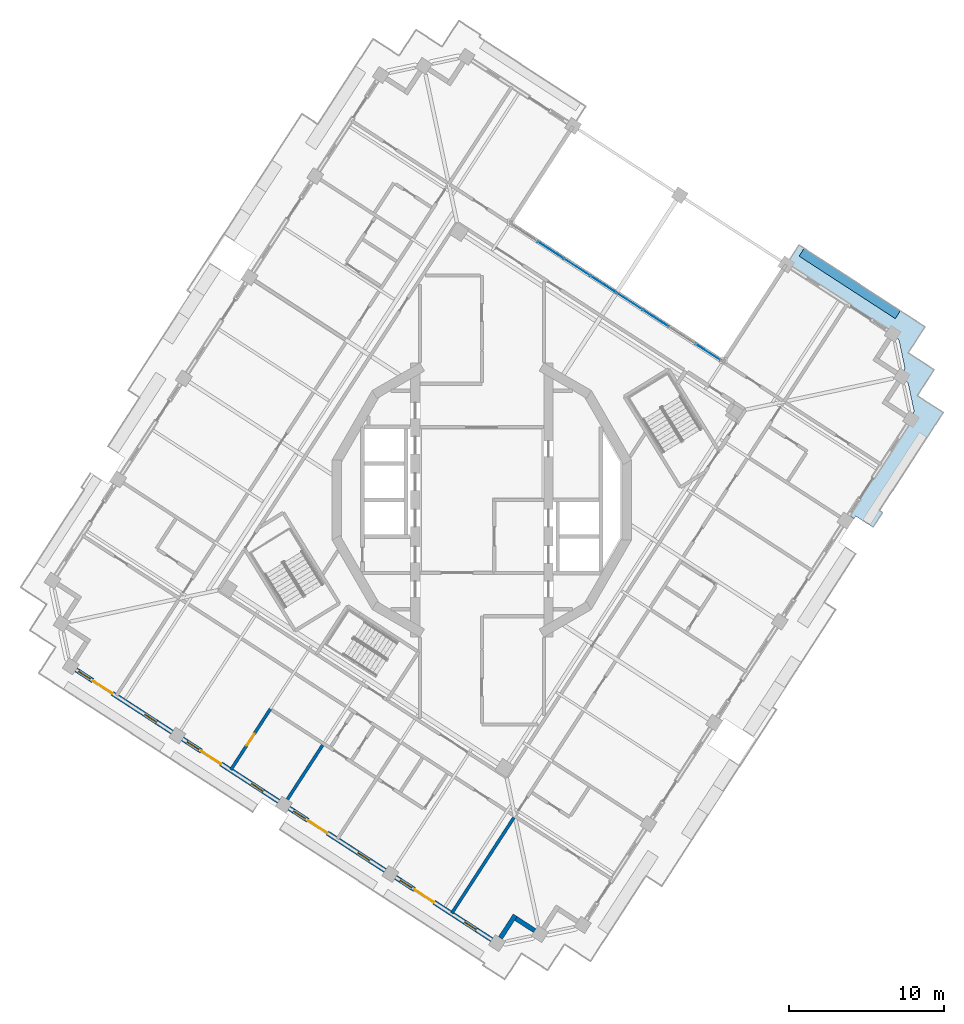
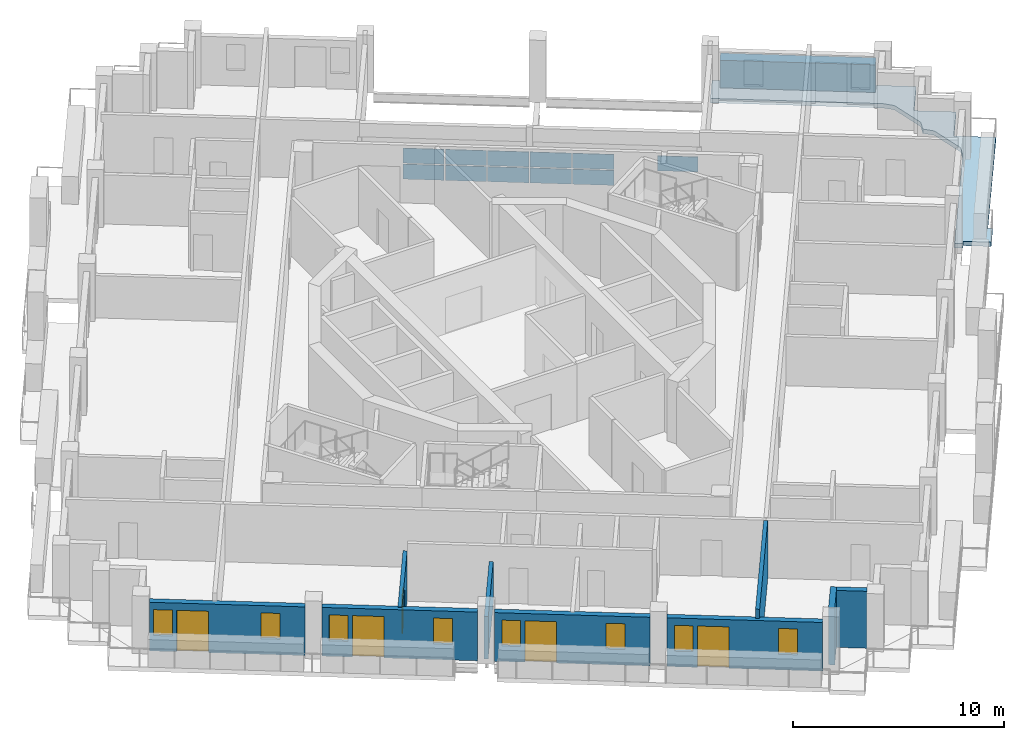
# One storey, part 5 of 17: 12 plates, 9 walls, 8 windows, 5 doors, 1 slab, 13 openings, 1 element without a shape of its own.
"""IFC4 building model written with IfcOpenShell, lengths in metres."""

from ifc_helpers import new_model, si_unit, direction, frame, frame_2d, origin, origin_2d, place, context, subcontext, project, spatial, polyline, rectangle, outline, extrude, material, layer, layer_set, type_object, element, fill, aggregate, save


model = new_model("IFC4")

# Units and contexts
model_context = context("Model", 3, precision=1e-05, world=origin(), true_north=direction((0.0, 1.0)))
body_context = subcontext(model_context, "Body", "Model", "MODEL_VIEW")
ifc_project = project(units=[si_unit("LENGTHUNIT", "METRE"), si_unit("AREAUNIT", "SQUARE_METRE"), si_unit("VOLUMEUNIT", "CUBIC_METRE"), si_unit("PLANEANGLEUNIT", "RADIAN"), si_unit("MASSUNIT", "GRAM", prefix="KILO")], contexts=[model_context])

# Site, building, storey
site_placement = place(None, origin())
site = spatial("IfcSite", under=ifc_project, at=site_placement, CompositionType="ELEMENT")
building_placement = place(site_placement, origin())
building = spatial("IfcBuilding", under=site, at=building_placement, Name="Cantera Rosa Tower", CompositionType="ELEMENT")
storey_placement = place(building_placement, frame((0.0, 0.0, 275.699951171875)))
storey = spatial("IfcBuildingStorey", under=building, at=storey_placement, Name="L62", CompositionType="ELEMENT", Elevation=275.699951171875)

# Curtain wall, plates
ifc_material_1 = material(Name="Aluminium frame with clear glass", Category="aluminium")
curtain_wall_type = type_object("IfcCurtainWallType", Name="CW1 TERRACE POCKET GLAZING", PredefinedType="NOTDEFINED", material=ifc_material_1)
curtain_wall_placement = place(storey_placement, origin())
curtain_wall = element("IfcCurtainWall", 1, at=curtain_wall_placement, inside=storey, type_object=curtain_wall_type, Name="CW1 CW1", PredefinedType="NOTDEFINED")
ifc_material_2 = material(Name="Aluminium frame with clear glass", Category="aluminium")
ifc_layer_1 = layer(ifc_material_2, 0.028076171875)
ifc_layer_set_1 = layer_set([ifc_layer_1], Name="CW-PANEL POCKET")
plate_type_1 = type_object("IfcPlateType", Name="CW-PANEL POCKET", PredefinedType="CURTAIN_PANEL", material=ifc_layer_set_1)
plate_1_placement = place(storey_placement, frame((14.60009765625, 9.536865234375, 0.98583984375), z_axis=(0.0, 0.0, 1.0), x_axis=(-0.838670567974, 0.544639034971, 0.0)))
plate_1 = element("IfcPlate", 2, at=plate_1_placement, type_object=plate_type_1, Name="CW1 panel 1.2", PredefinedType="CURTAIN_PANEL", context=body_context, shape_type="SweptSolid", body=[
    extrude(rectangle(XDim=1.9287109375, YDim=0.028076171875, at=origin_2d()), origin(), (0.0, 0.0, 1.0), 0.865966796875),
])
plate_2_placement = place(storey_placement, frame((11.2265625, 11.7275390625, 0.06005859375), z_axis=(0.0, 0.0, 1.0), x_axis=(-0.838670567974, 0.544639034971, 0.0)))
plate_2 = element("IfcPlate", 3, at=plate_2_placement, type_object=plate_type_1, Name="CW1 panel 3.1", PredefinedType="CURTAIN_PANEL", context=body_context, shape_type="SweptSolid", body=[
    extrude(rectangle(XDim=1.958740234375, YDim=0.028076171875, at=origin_2d()), origin(), (0.0, 0.0, 1.0), 0.865966796875),
])
plate_3_placement = place(storey_placement, frame((11.2265625, 11.7275390625, 0.98583984375), z_axis=(0.0, 0.0, 1.0), x_axis=(-0.838670567974, 0.544639034971, 0.0)))
plate_3 = element("IfcPlate", 4, at=plate_3_placement, type_object=plate_type_1, Name="CW1 panel 3.2", PredefinedType="CURTAIN_PANEL", context=body_context, shape_type="SweptSolid", body=[
    extrude(rectangle(XDim=1.958740234375, YDim=0.028076171875, at=origin_2d()), origin(), (0.0, 0.0, 1.0), 0.865966796875),
])
plate_4_placement = place(storey_placement, frame((9.533447265625, 12.8271484375, 0.06005859375), z_axis=(0.0, 0.0, 1.0), x_axis=(-0.838670567974, 0.544639034971, 0.0)))
plate_4 = element("IfcPlate", 5, at=plate_4_placement, type_object=plate_type_1, Name="CW1 panel 4.1", PredefinedType="CURTAIN_PANEL", context=body_context, shape_type="SweptSolid", body=[
    extrude(rectangle(XDim=1.958740234375, YDim=0.028076171875, at=origin_2d()), origin(), (0.0, 0.0, 1.0), 0.865966796875),
])
plate_5_placement = place(storey_placement, frame((9.533447265625, 12.8271484375, 0.98583984375), z_axis=(0.0, 0.0, 1.0), x_axis=(-0.838670567974, 0.544639034971, 0.0)))
plate_5 = element("IfcPlate", 6, at=plate_5_placement, type_object=plate_type_1, Name="CW1 panel 4.2", PredefinedType="CURTAIN_PANEL", context=body_context, shape_type="SweptSolid", body=[
    extrude(rectangle(XDim=1.958740234375, YDim=0.028076171875, at=origin_2d()), origin(), (0.0, 0.0, 1.0), 0.865966796875),
])
plate_6_placement = place(storey_placement, frame((7.840576171875, 13.926513671875, 0.06005859375), z_axis=(0.0, 0.0, 1.0), x_axis=(-0.838670567974, 0.544639034971, 0.0)))
plate_6 = element("IfcPlate", 7, at=plate_6_placement, type_object=plate_type_1, Name="CW1 panel 5.1", PredefinedType="CURTAIN_PANEL", context=body_context, shape_type="SweptSolid", body=[
    extrude(rectangle(XDim=1.958740234375, YDim=0.028076171875, at=origin_2d()), origin(), (0.0, 0.0, 1.0), 0.865966796875),
])
plate_7_placement = place(storey_placement, frame((7.840576171875, 13.926513671875, 0.98583984375), z_axis=(0.0, 0.0, 1.0), x_axis=(-0.838670567974, 0.544639034971, 0.0)))
plate_7 = element("IfcPlate", 8, at=plate_7_placement, type_object=plate_type_1, Name="CW1 panel 5.2", PredefinedType="CURTAIN_PANEL", context=body_context, shape_type="SweptSolid", body=[
    extrude(rectangle(XDim=1.958740234375, YDim=0.028076171875, at=origin_2d()), origin(), (0.0, 0.0, 1.0), 0.865966796875),
])
plate_8_placement = place(storey_placement, frame((6.1474609375, 15.026123046875, 0.06005859375), z_axis=(0.0, 0.0, 1.0), x_axis=(-0.838670567974, 0.544639034971, 0.0)))
plate_8 = element("IfcPlate", 9, at=plate_8_placement, type_object=plate_type_1, Name="CW1 panel 6.1", PredefinedType="CURTAIN_PANEL", context=body_context, shape_type="SweptSolid", body=[
    extrude(rectangle(XDim=1.958740234375, YDim=0.028076171875, at=origin_2d()), origin(), (0.0, 0.0, 1.0), 0.865966796875),
])
plate_9_placement = place(storey_placement, frame((6.1474609375, 15.026123046875, 0.98583984375), z_axis=(0.0, 0.0, 1.0), x_axis=(-0.838670567974, 0.544639034971, 0.0)))
plate_9 = element("IfcPlate", 10, at=plate_9_placement, type_object=plate_type_1, Name="CW1 panel 6.2", PredefinedType="CURTAIN_PANEL", context=body_context, shape_type="SweptSolid", body=[
    extrude(rectangle(XDim=1.958740234375, YDim=0.028076171875, at=origin_2d()), origin(), (0.0, 0.0, 1.0), 0.865966796875),
])
plate_10_placement = place(storey_placement, frame((4.454345703125, 16.12548828125, 0.06005859375), z_axis=(0.0, 0.0, 1.0), x_axis=(-0.838670567974, 0.544639034971, 0.0)))
plate_10 = element("IfcPlate", 11, at=plate_10_placement, type_object=plate_type_1, Name="CW1 panel 7.1", PredefinedType="CURTAIN_PANEL", context=body_context, shape_type="SweptSolid", body=[
    extrude(rectangle(XDim=1.958740234375, YDim=0.028076171875, at=origin_2d()), origin(), (0.0, 0.0, 1.0), 0.865966796875),
])
plate_11_placement = place(storey_placement, frame((4.454345703125, 16.12548828125, 0.98583984375), z_axis=(0.0, 0.0, 1.0), x_axis=(-0.838670567974, 0.544639034971, 0.0)))
plate_11 = element("IfcPlate", 12, at=plate_11_placement, type_object=plate_type_1, Name="CW1 panel 7.2", PredefinedType="CURTAIN_PANEL", context=body_context, shape_type="SweptSolid", body=[
    extrude(rectangle(XDim=1.958740234375, YDim=0.028076171875, at=origin_2d()), origin(), (0.0, 0.0, 1.0), 0.865966796875),
])
aggregate(curtain_wall, [plate_1, plate_2, plate_3, plate_4, plate_5, plate_6, plate_7, plate_8, plate_9, plate_10, plate_11])

# Slab
ifc_material_3 = material(Name="Concrete C35/45", Category="concrete")
ifc_layer_2 = layer(ifc_material_3, 0.25)
ifc_layer_set_2 = layer_set([ifc_layer_2], Name="LOGGIA SLAB 250 C35/45")
slab_type = type_object("IfcSlabType", Name="LOGGIA SLAB 250 C35/45", PredefinedType="FLOOR", material=ifc_layer_set_2)
slab_placement = place(storey_placement, frame((0.0, 0.0, -0.25)))
element("IfcSlab", 13, at=slab_placement, inside=storey, type_object=slab_type, Name="LOGGIA SLAB L62 4", PredefinedType="FLOOR", context=body_context, shape_type="SweptSolid", body=[
    extrude(outline(polyline([(27.343017578125, 11.992919921875), (28.600830078125, 11.17578125), (27.783935546875, 9.917724609375), (27.51171875, 9.49853515625), (27.930908203125, 9.22607421875), (29.18896484375, 8.4091796875), (28.3720703125, 7.151123046875), (28.099609375, 6.731689453125), (28.51904296875, 6.45947265625), (29.777099609375, 5.642578125), (28.960205078125, 4.384521484375), (25.66650390625, -0.68701171875), (25.86181640625, -0.813720703125), (25.244873046875, -1.763916015625), (24.127197265625, -1.0380859375), (24.01806640625, -1.205810546875), (23.6826171875, -0.98779296875), (27.13330078125, 4.32568359375), (27.7021484375, 5.201416015625), (27.863037109375, 5.643798828125), (27.872802734375, 5.67138671875), (27.87939453125, 5.7001953125), (27.88330078125, 5.729248046875), (27.884521484375, 5.7587890625), (27.882568359375, 5.7880859375), (27.8779296875, 5.817138671875), (27.525146484375, 7.477294921875), (27.517578125, 7.505615234375), (27.50732421875, 7.533203125), (27.494384765625, 7.559814453125), (27.47900390625, 7.584716796875), (27.461181640625, 7.608154296875), (27.44091796875, 7.629638671875), (27.114013671875, 7.968017578125), (27.275146484375, 8.410400390625), (27.28466796875, 8.43798828125), (27.29150390625, 8.466796875), (27.29541015625, 8.49609375), (27.29638671875, 8.525390625), (27.294677734375, 8.5546875), (27.289794921875, 8.583740234375), (26.93701171875, 10.243896484375), (26.929443359375, 10.272216796875), (26.919189453125, 10.2998046875), (26.90625, 10.326416015625), (26.890869140625, 10.351318359375), (26.873046875, 10.374755859375), (26.852783203125, 10.396240234375), (26.52587890625, 10.734619140625), (25.650146484375, 11.303466796875), (19.64892578125, 15.20068359375), (20.4658203125, 16.458740234375), (21.723876953125, 15.641845703125), (27.343017578125, 11.992919921875)])), origin(), (0.0, 0.0, 1.0), 0.25),
])

# Plate
ifc_material_4 = material(Name="Cantera stone planter with soil", Category="masonry")
plate_type_2 = type_object("IfcPlateType", Name="PLANTER 600", PredefinedType="USERDEFINED", material=ifc_material_4)
plate_12_placement = place(storey_placement, frame((23.740966796875, 13.97412109375, 0.0), z_axis=(0.0, 0.0, 1.0), x_axis=(-0.838670567945, 0.544639035015, 0.0)))
element("IfcPlate", 14, at=plate_12_placement, inside=storey, type_object=plate_type_2, Name="PLANTER L62-01", ObjectType="PLANTER", PredefinedType="USERDEFINED", context=body_context, shape_type="SweptSolid", body=[
    extrude(rectangle(XDim=7.39990234375, YDim=0.60009765625, at=origin_2d()), origin(), (0.0, 0.0, 1.0), 1.60009765625),
])

# Walls
ifc_material_5 = material(Name="Hollow clay masonry with cantera stone cladding", Category="masonry")
ifc_layer_3 = layer(ifc_material_5, 0.300048828125)
ifc_layer_set_3 = layer_set([ifc_layer_3], Name="EW-LOGGIA 300")
wall_type_1 = type_object("IfcWallType", Name="EW-LOGGIA 300", PredefinedType="SOLIDWALL", material=ifc_layer_set_3)
wall_1_placement = place(storey_placement, frame((1.2001953125, -28.263427734375, 0.0), z_axis=(0.0, 0.0, 1.0), x_axis=(0.54461563776, 0.838685761837, 0.0)))
element("IfcWall", 15, at=wall_1_placement, inside=storey, type_object=wall_type_1, Name="EN-L62-W18a", PredefinedType="SOLIDWALL", context=body_context, shape_type="SweptSolid", body=[
    extrude(rectangle(XDim=1.75, YDim=0.300048828125, at=frame_2d((0.875, 0.0))), origin(), (0.0, 0.0, 1.0), 3.300048828125),
])
wall_2_placement = place(storey_placement, frame((2.197509765625, -27.003173828125, 0.0), z_axis=(0.0, 0.0, 1.0), x_axis=(0.838647435384, -0.54467465438, 0.0)))
element("IfcWall", 16, at=wall_2_placement, inside=storey, type_object=wall_type_1, Name="EN-L62-W18b", PredefinedType="SOLIDWALL", context=body_context, shape_type="SweptSolid", body=[
    extrude(rectangle(XDim=1.449951171875, YDim=0.300048828125, at=frame_2d((0.72509765625, 0.0))), origin(), (0.0, 0.0, 1.0), 3.300048828125),
])

# Wall, openings, windows, door
ifc_material_6 = material(Name="Hollow clay masonry with cantera stone cladding", Category="masonry")
ifc_layer_4 = layer(ifc_material_6, 0.300048828125)
ifc_layer_set_4 = layer_set([ifc_layer_4], Name="EW-LOGGIA 300 H2820")
wall_type_2 = type_object("IfcWallType", Name="EW-LOGGIA 300 H2820", PredefinedType="SOLIDWALL", material=ifc_layer_set_4)
wall_3_placement = place(storey_placement, frame((-26.1904296875, -10.95263671875, 0.0), z_axis=(0.0, 0.0, 1.0), x_axis=(0.838669679097, -0.544640403719, 0.0)))
wall_3 = element("IfcWall", 17, at=wall_3_placement, inside=storey, type_object=wall_type_2, Name="EN-L62-W14", PredefinedType="SOLIDWALL", context=body_context, shape_type="SweptSolid", body=[
    extrude(rectangle(XDim=7.39990234375, YDim=0.300048828125, at=frame_2d((3.699951171875, 0.0))), origin(), (0.0, 0.0, 1.0), 2.820068359375),
])
opening_1_placement = place(wall_3_placement, frame((0.199951171875, 0.0, 0.89990234375)))
opening_1 = element("IfcOpeningElement", 18, at=opening_1_placement, cuts=wall_3, Name="Opening L62-W22", PredefinedType="OPENING", context=body_context, shape_type="SweptSolid", body=[
    extrude(rectangle(XDim=0.89990234375, YDim=1.5, at=frame_2d((0.449951171875, 0.75))), frame((0.0, 0.159912109375, 0.0), z_axis=(0.0, -1.0, 0.0), x_axis=(1.0, 0.0, 0.0)), (0.0, 0.0, 1.0), 0.320068359375),
])
opening_2_placement = place(wall_3_placement, frame((1.300048828125, 0.0, 0.0)))
opening_2 = element("IfcOpeningElement", 19, at=opening_2_placement, cuts=wall_3, Name="Opening L62-TD23", PredefinedType="OPENING", context=body_context, shape_type="SweptSolid", body=[
    extrude(rectangle(XDim=1.5, YDim=2.39990234375, at=frame_2d((0.75, 1.199951171875))), frame((0.0, 0.159912109375, 0.0), z_axis=(0.0, -1.0, 0.0), x_axis=(1.0, 0.0, 0.0)), (0.0, 0.0, 1.0), 0.320068359375),
])
opening_3_placement = place(wall_3_placement, frame((5.300048828125, 0.0, 0.89990234375)))
opening_3 = element("IfcOpeningElement", 20, at=opening_3_placement, cuts=wall_3, Name="Opening L62-W24", PredefinedType="OPENING", context=body_context, shape_type="SweptSolid", body=[
    extrude(rectangle(XDim=0.89990234375, YDim=1.5, at=frame_2d((0.449951171875, 0.75))), frame((0.0, 0.159912109375, 0.0), z_axis=(0.0, -1.0, 0.0), x_axis=(1.0, 0.0, 0.0)), (0.0, 0.0, 1.0), 0.320068359375),
])
ifc_material_7 = material(Name="Aluminium frame with clear glass", Category="aluminium")
window_type = type_object("IfcWindowType", Name="Residential window 900x1500", PartitioningType="SINGLE_PANEL", PredefinedType="WINDOW", material=ifc_material_7)
window_1_placement = place(opening_1_placement, origin())
window_1 = element("IfcWindow", 21, at=window_1_placement, inside=storey, type_object=window_type, Name="WINDOW L62-W22", OverallHeight=1.5, OverallWidth=0.89990234375, PartitioningType="SINGLE_PANEL", PredefinedType="WINDOW", context=body_context, shape_type="SweptSolid", body=[
    extrude(rectangle(XDim=0.89990234375, YDim=1.5, at=frame_2d((0.449951171875, 0.75))), frame((0.0, 0.030029296875, 0.0), z_axis=(0.0, -1.0, 0.0), x_axis=(1.0, 0.0, 0.0)), (0.0, 0.0, 1.0), 0.06005859375),
])
fill(opening_1, window_1)
window_2_placement = place(opening_3_placement, origin())
window_2 = element("IfcWindow", 22, at=window_2_placement, inside=storey, type_object=window_type, Name="WINDOW L62-W24", OverallHeight=1.5, OverallWidth=0.89990234375, PartitioningType="SINGLE_PANEL", PredefinedType="WINDOW", context=body_context, shape_type="SweptSolid", body=[
    extrude(rectangle(XDim=0.89990234375, YDim=1.5, at=frame_2d((0.449951171875, 0.75))), frame((0.0, 0.030029296875, 0.0), z_axis=(0.0, -1.0, 0.0), x_axis=(1.0, 0.0, 0.0)), (0.0, 0.0, 1.0), 0.06005859375),
])
fill(opening_3, window_2)
ifc_material_8 = material(Name="Aluminium frame with clear glass", Category="aluminium")
door_type_1 = type_object("IfcDoorType", Name="TD-R 1500x2400", OperationType="NOTDEFINED", PredefinedType="DOOR", material=ifc_material_8)
door_1_placement = place(opening_2_placement, origin())
door_1 = element("IfcDoor", 23, at=door_1_placement, inside=storey, type_object=door_type_1, Name="LOGGIA DOOR L62-TD23", OperationType="SLIDING_TO_LEFT", OverallHeight=2.39990234375, OverallWidth=1.5, PredefinedType="DOOR", context=body_context, shape_type="SweptSolid", body=[
    extrude(rectangle(XDim=1.5, YDim=2.39990234375, at=frame_2d((0.75, 1.199951171875))), frame((0.0, 0.02490234375, 0.0), z_axis=(0.0, -1.0, 0.0), x_axis=(1.0, 0.0, 0.0)), (0.0, 0.0, 1.0), 0.050048828125),
])
fill(opening_2, door_1)

wall_4_placement = place(storey_placement, frame((-19.3134765625, -15.418701171875, 0.0), z_axis=(0.0, 0.0, 1.0), x_axis=(0.838679465365, -0.544625333946, 0.0)))
wall_4 = element("IfcWall", 24, at=wall_4_placement, inside=storey, type_object=wall_type_2, Name="EN-L62-W15", PredefinedType="SOLIDWALL", context=body_context, shape_type="SweptSolid", body=[
    extrude(rectangle(XDim=7.400146484375, YDim=0.300048828125, at=frame_2d((3.7001953125, 0.0))), origin(), (0.0, 0.0, 1.0), 2.820068359375),
])
opening_4_placement = place(wall_4_placement, frame((0.35009765625, 0.0, 0.89990234375)))
opening_4 = element("IfcOpeningElement", 25, at=opening_4_placement, cuts=wall_4, Name="Opening L62-W25", PredefinedType="OPENING", context=body_context, shape_type="SweptSolid", body=[
    extrude(rectangle(XDim=0.89990234375, YDim=1.5, at=frame_2d((0.449951171875, 0.75))), frame((0.0, 0.159912109375, 0.0), z_axis=(0.0, -1.0, 0.0), x_axis=(1.0, 0.0, 0.0)), (0.0, 0.0, 1.0), 0.320068359375),
])
opening_5_placement = place(wall_4_placement, frame((1.449951171875, 0.0, 0.0)))
opening_5 = element("IfcOpeningElement", 26, at=opening_5_placement, cuts=wall_4, Name="Opening L62-TD26", PredefinedType="OPENING", context=body_context, shape_type="SweptSolid", body=[
    extrude(rectangle(XDim=1.5, YDim=2.39990234375, at=frame_2d((0.75, 1.199951171875))), frame((0.0, 0.159912109375, 0.0), z_axis=(0.0, -1.0, 0.0), x_axis=(1.0, 0.0, 0.0)), (0.0, 0.0, 1.0), 0.320068359375),
])
opening_6_placement = place(wall_4_placement, frame((5.300048828125, 0.0, 0.89990234375)))
opening_6 = element("IfcOpeningElement", 27, at=opening_6_placement, cuts=wall_4, Name="Opening L62-W27", PredefinedType="OPENING", context=body_context, shape_type="SweptSolid", body=[
    extrude(rectangle(XDim=0.89990234375, YDim=1.5, at=frame_2d((0.449951171875, 0.75))), frame((0.0, 0.159912109375, 0.0), z_axis=(0.0, -1.0, 0.0), x_axis=(1.0, 0.0, 0.0)), (0.0, 0.0, 1.0), 0.320068359375),
])
window_3_placement = place(opening_4_placement, origin())
window_3 = element("IfcWindow", 28, at=window_3_placement, inside=storey, type_object=window_type, Name="WINDOW L62-W25", OverallHeight=1.5, OverallWidth=0.89990234375, PartitioningType="SINGLE_PANEL", PredefinedType="WINDOW", context=body_context, shape_type="SweptSolid", body=[
    extrude(rectangle(XDim=0.89990234375, YDim=1.5, at=frame_2d((0.449951171875, 0.75))), frame((0.0, 0.030029296875, 0.0), z_axis=(0.0, -1.0, 0.0), x_axis=(1.0, 0.0, 0.0)), (0.0, 0.0, 1.0), 0.06005859375),
])
fill(opening_4, window_3)
window_4_placement = place(opening_6_placement, origin())
window_4 = element("IfcWindow", 29, at=window_4_placement, inside=storey, type_object=window_type, Name="WINDOW L62-W27", OverallHeight=1.5, OverallWidth=0.89990234375, PartitioningType="SINGLE_PANEL", PredefinedType="WINDOW", context=body_context, shape_type="SweptSolid", body=[
    extrude(rectangle(XDim=0.89990234375, YDim=1.5, at=frame_2d((0.449951171875, 0.75))), frame((0.0, 0.030029296875, 0.0), z_axis=(0.0, -1.0, 0.0), x_axis=(1.0, 0.0, 0.0)), (0.0, 0.0, 1.0), 0.06005859375),
])
fill(opening_6, window_4)
door_2_placement = place(opening_5_placement, origin())
door_2 = element("IfcDoor", 30, at=door_2_placement, inside=storey, type_object=door_type_1, Name="LOGGIA DOOR L62-TD26", OperationType="SLIDING_TO_LEFT", OverallHeight=2.39990234375, OverallWidth=1.5, PredefinedType="DOOR", context=body_context, shape_type="SweptSolid", body=[
    extrude(rectangle(XDim=1.5, YDim=2.39990234375, at=frame_2d((0.75, 1.199951171875))), frame((0.0, 0.02490234375, 0.0), z_axis=(0.0, -1.0, 0.0), x_axis=(1.0, 0.0, 0.0)), (0.0, 0.0, 1.0), 0.050048828125),
])
fill(opening_5, door_2)

wall_5_placement = place(storey_placement, frame((-12.436279296875, -19.884765625, 0.0), z_axis=(0.0, 0.0, 1.0), x_axis=(0.838669679097, -0.544640403719, 0.0)))
wall_5 = element("IfcWall", 31, at=wall_5_placement, inside=storey, type_object=wall_type_2, Name="EN-L62-W16", PredefinedType="SOLIDWALL", context=body_context, shape_type="SweptSolid", body=[
    extrude(rectangle(XDim=7.39990234375, YDim=0.300048828125, at=frame_2d((3.699951171875, 0.0))), origin(), (0.0, 0.0, 1.0), 2.820068359375),
])
opening_7_placement = place(wall_5_placement, frame((0.35009765625, 0.0, 0.89990234375)))
opening_7 = element("IfcOpeningElement", 32, at=opening_7_placement, cuts=wall_5, Name="Opening L62-W28", PredefinedType="OPENING", context=body_context, shape_type="SweptSolid", body=[
    extrude(rectangle(XDim=0.89990234375, YDim=1.5, at=frame_2d((0.449951171875, 0.75))), frame((0.0, 0.159912109375, 0.0), z_axis=(0.0, -1.0, 0.0), x_axis=(1.0, 0.0, 0.0)), (0.0, 0.0, 1.0), 0.320068359375),
])
opening_8_placement = place(wall_5_placement, frame((1.449951171875, 0.0, 0.0)))
opening_8 = element("IfcOpeningElement", 33, at=opening_8_placement, cuts=wall_5, Name="Opening L62-TD29", PredefinedType="OPENING", context=body_context, shape_type="SweptSolid", body=[
    extrude(rectangle(XDim=1.5, YDim=2.39990234375, at=frame_2d((0.75, 1.199951171875))), frame((0.0, 0.159912109375, 0.0), z_axis=(0.0, -1.0, 0.0), x_axis=(1.0, 0.0, 0.0)), (0.0, 0.0, 1.0), 0.320068359375),
])
opening_9_placement = place(wall_5_placement, frame((5.300048828125, 0.0, 0.89990234375)))
opening_9 = element("IfcOpeningElement", 34, at=opening_9_placement, cuts=wall_5, Name="Opening L62-W30", PredefinedType="OPENING", context=body_context, shape_type="SweptSolid", body=[
    extrude(rectangle(XDim=0.89990234375, YDim=1.5, at=frame_2d((0.449951171875, 0.75))), frame((0.0, 0.159912109375, 0.0), z_axis=(0.0, -1.0, 0.0), x_axis=(1.0, 0.0, 0.0)), (0.0, 0.0, 1.0), 0.320068359375),
])
window_5_placement = place(opening_7_placement, origin())
window_5 = element("IfcWindow", 35, at=window_5_placement, inside=storey, type_object=window_type, Name="WINDOW L62-W28", OverallHeight=1.5, OverallWidth=0.89990234375, PartitioningType="SINGLE_PANEL", PredefinedType="WINDOW", context=body_context, shape_type="SweptSolid", body=[
    extrude(rectangle(XDim=0.89990234375, YDim=1.5, at=frame_2d((0.449951171875, 0.75))), frame((0.0, 0.030029296875, 0.0), z_axis=(0.0, -1.0, 0.0), x_axis=(1.0, 0.0, 0.0)), (0.0, 0.0, 1.0), 0.06005859375),
])
fill(opening_7, window_5)
window_6_placement = place(opening_9_placement, origin())
window_6 = element("IfcWindow", 36, at=window_6_placement, inside=storey, type_object=window_type, Name="WINDOW L62-W30", OverallHeight=1.5, OverallWidth=0.89990234375, PartitioningType="SINGLE_PANEL", PredefinedType="WINDOW", context=body_context, shape_type="SweptSolid", body=[
    extrude(rectangle(XDim=0.89990234375, YDim=1.5, at=frame_2d((0.449951171875, 0.75))), frame((0.0, 0.030029296875, 0.0), z_axis=(0.0, -1.0, 0.0), x_axis=(1.0, 0.0, 0.0)), (0.0, 0.0, 1.0), 0.06005859375),
])
fill(opening_9, window_6)
door_3_placement = place(opening_8_placement, origin())
door_3 = element("IfcDoor", 37, at=door_3_placement, inside=storey, type_object=door_type_1, Name="LOGGIA DOOR L62-TD29", OperationType="SLIDING_TO_LEFT", OverallHeight=2.39990234375, OverallWidth=1.5, PredefinedType="DOOR", context=body_context, shape_type="SweptSolid", body=[
    extrude(rectangle(XDim=1.5, YDim=2.39990234375, at=frame_2d((0.75, 1.199951171875))), frame((0.0, 0.02490234375, 0.0), z_axis=(0.0, -1.0, 0.0), x_axis=(1.0, 0.0, 0.0)), (0.0, 0.0, 1.0), 0.050048828125),
])
fill(opening_8, door_3)

wall_6_placement = place(storey_placement, frame((-5.559326171875, -24.350830078125, 0.0), z_axis=(0.0, 0.0, 1.0), x_axis=(0.838679465365, -0.544625333946, 0.0)))
wall_6 = element("IfcWall", 38, at=wall_6_placement, inside=storey, type_object=wall_type_2, Name="EN-L62-W17", PredefinedType="SOLIDWALL", context=body_context, shape_type="SweptSolid", body=[
    extrude(rectangle(XDim=7.400146484375, YDim=0.300048828125, at=frame_2d((3.7001953125, 0.0))), origin(), (0.0, 0.0, 1.0), 2.820068359375),
])
opening_10_placement = place(wall_6_placement, frame((0.35009765625, 0.0, 0.89990234375)))
opening_10 = element("IfcOpeningElement", 39, at=opening_10_placement, cuts=wall_6, Name="Opening L62-W31", PredefinedType="OPENING", context=body_context, shape_type="SweptSolid", body=[
    extrude(rectangle(XDim=0.89990234375, YDim=1.5, at=frame_2d((0.449951171875, 0.75))), frame((0.0, 0.159912109375, 0.0), z_axis=(0.0, -1.0, 0.0), x_axis=(1.0, 0.0, 0.0)), (0.0, 0.0, 1.0), 0.320068359375),
])
opening_11_placement = place(wall_6_placement, frame((1.449951171875, 0.0, 0.0)))
opening_11 = element("IfcOpeningElement", 40, at=opening_11_placement, cuts=wall_6, Name="Opening L62-TD32", PredefinedType="OPENING", context=body_context, shape_type="SweptSolid", body=[
    extrude(rectangle(XDim=1.5, YDim=2.39990234375, at=frame_2d((0.75, 1.199951171875))), frame((0.0, 0.159912109375, 0.0), z_axis=(0.0, -1.0, 0.0), x_axis=(1.0, 0.0, 0.0)), (0.0, 0.0, 1.0), 0.320068359375),
])
opening_12_placement = place(wall_6_placement, frame((5.300048828125, 0.0, 0.89990234375)))
opening_12 = element("IfcOpeningElement", 41, at=opening_12_placement, cuts=wall_6, Name="Opening L62-W33", PredefinedType="OPENING", context=body_context, shape_type="SweptSolid", body=[
    extrude(rectangle(XDim=0.89990234375, YDim=1.5, at=frame_2d((0.449951171875, 0.75))), frame((0.0, 0.159912109375, 0.0), z_axis=(0.0, -1.0, 0.0), x_axis=(1.0, 0.0, 0.0)), (0.0, 0.0, 1.0), 0.320068359375),
])
window_7_placement = place(opening_10_placement, origin())
window_7 = element("IfcWindow", 42, at=window_7_placement, inside=storey, type_object=window_type, Name="WINDOW L62-W31", OverallHeight=1.5, OverallWidth=0.89990234375, PartitioningType="SINGLE_PANEL", PredefinedType="WINDOW", context=body_context, shape_type="SweptSolid", body=[
    extrude(rectangle(XDim=0.89990234375, YDim=1.5, at=frame_2d((0.449951171875, 0.75))), frame((0.0, 0.030029296875, 0.0), z_axis=(0.0, -1.0, 0.0), x_axis=(1.0, 0.0, 0.0)), (0.0, 0.0, 1.0), 0.06005859375),
])
fill(opening_10, window_7)
window_8_placement = place(opening_12_placement, origin())
window_8 = element("IfcWindow", 43, at=window_8_placement, inside=storey, type_object=window_type, Name="WINDOW L62-W33", OverallHeight=1.5, OverallWidth=0.89990234375, PartitioningType="SINGLE_PANEL", PredefinedType="WINDOW", context=body_context, shape_type="SweptSolid", body=[
    extrude(rectangle(XDim=0.89990234375, YDim=1.5, at=frame_2d((0.449951171875, 0.75))), frame((0.0, 0.030029296875, 0.0), z_axis=(0.0, -1.0, 0.0), x_axis=(1.0, 0.0, 0.0)), (0.0, 0.0, 1.0), 0.06005859375),
])
fill(opening_12, window_8)
door_4_placement = place(opening_11_placement, origin())
door_4 = element("IfcDoor", 44, at=door_4_placement, inside=storey, type_object=door_type_1, Name="LOGGIA DOOR L62-TD32", OperationType="SLIDING_TO_LEFT", OverallHeight=2.39990234375, OverallWidth=1.5, PredefinedType="DOOR", context=body_context, shape_type="SweptSolid", body=[
    extrude(rectangle(XDim=1.5, YDim=2.39990234375, at=frame_2d((0.75, 1.199951171875))), frame((0.0, 0.02490234375, 0.0), z_axis=(0.0, -1.0, 0.0), x_axis=(1.0, 0.0, 0.0)), (0.0, 0.0, 1.0), 0.050048828125),
])
fill(opening_11, door_4)

# Wall
ifc_material_9 = material(Name="Gypsum board partition")
ifc_layer_5 = layer(ifc_material_9, 0.199951171875)
ifc_layer_set_5 = layer_set([ifc_layer_5], Name="PARTITION 200 H2450")
wall_type_3 = type_object("IfcWallType", Name="PARTITION 200 H2450", PredefinedType="PARTITIONING", material=ifc_layer_set_5)
wall_7_placement = place(storey_placement, frame((-12.75537109375, -19.6416015625, 0.0), z_axis=(0.0, 0.0, 1.0), x_axis=(0.544629951314, 0.8386764669, 0.0)))
element("IfcWall", 45, at=wall_7_placement, inside=storey, type_object=wall_type_3, Name="PARTITION L62-013", PredefinedType="PARTITIONING", context=body_context, shape_type="SweptSolid", body=[
    extrude(rectangle(XDim=4.550048828125, YDim=0.199951171875, at=frame_2d((2.27490234375, 0.0))), origin(), (0.0, 0.0, 1.0), 2.449951171875),
])

# Wall, opening, door
ifc_material_10 = material(Name="Gypsum board partition")
ifc_layer_6 = layer(ifc_material_10, 0.199951171875)
ifc_layer_set_6 = layer_set([ifc_layer_6], Name="PARTITION 200 H2850")
wall_type_4 = type_object("IfcWallType", Name="PARTITION 200 H2850", PredefinedType="PARTITIONING", material=ifc_layer_set_6)
wall_8_placement = place(storey_placement, frame((-16.194091796875, -17.40869140625, 0.0), z_axis=(0.0, 0.0, 1.0), x_axis=(0.544683283636, 0.838641830895, 0.0)))
wall_8 = element("IfcWall", 46, at=wall_8_placement, inside=storey, type_object=wall_type_4, Name="PARTITION L62-008", PredefinedType="PARTITIONING", context=body_context, shape_type="SweptSolid", body=[
    extrude(rectangle(XDim=4.670166015625, YDim=0.199951171875, at=frame_2d((2.3349609375, 0.0))), origin(), (0.0, 0.0, 1.0), 2.85009765625),
])
opening_13_placement = place(wall_8_placement, frame((1.8701171875, 0.0, 0.0)))
opening_13 = element("IfcOpeningElement", 47, at=opening_13_placement, cuts=wall_8, Name="Opening L62-036", PredefinedType="OPENING", context=body_context, shape_type="SweptSolid", body=[
    extrude(rectangle(XDim=0.89990234375, YDim=2.10009765625, at=frame_2d((0.449951171875, 1.050048828125))), frame((0.0, 0.10986328125, 0.0), z_axis=(0.0, -1.0, 0.0), x_axis=(1.0, 0.0, 0.0)), (0.0, 0.0, 1.0), 0.219970703125),
])
ifc_material_11 = material(Name="Timber door leaf", Category="wood")
door_type_2 = type_object("IfcDoorType", Name="ROOM DOOR 900x2100", OperationType="NOTDEFINED", PredefinedType="DOOR", material=ifc_material_11)
door_5_placement = place(opening_13_placement, origin())
door_5 = element("IfcDoor", 48, at=door_5_placement, inside=storey, type_object=door_type_2, Name="DOOR L62-036", OperationType="NOTDEFINED", OverallHeight=2.10009765625, OverallWidth=0.89990234375, PredefinedType="DOOR", context=body_context, shape_type="SweptSolid", body=[
    extrude(rectangle(XDim=0.89990234375, YDim=2.10009765625, at=frame_2d((0.449951171875, 1.050048828125))), frame((0.0, 0.02490234375, 0.0), z_axis=(0.0, -1.0, 0.0), x_axis=(1.0, 0.0, 0.0)), (0.0, 0.0, 1.0), 0.050048828125),
])
fill(opening_13, door_5)

# Wall
ifc_material_12 = material(Name="Gypsum board partition")
ifc_layer_7 = layer(ifc_material_12, 0.199951171875)
ifc_layer_set_7 = layer_set([ifc_layer_7], Name="PARTY WALL 200 H3350")
wall_type_5 = type_object("IfcWallType", Name="PARTY WALL 200 H3350", PredefinedType="PARTITIONING", material=ifc_layer_set_7)
wall_9_placement = place(storey_placement, frame((-1.9365234375, -26.66748046875, 0.0), z_axis=(0.0, 0.0, 1.0), x_axis=(0.544633359557, 0.838674253604, 0.0)))
element("IfcWall", 49, at=wall_9_placement, inside=storey, type_object=wall_type_5, Name="PARTY WALL L62-052", PredefinedType="PARTITIONING", context=body_context, shape_type="SweptSolid", body=[
    extrude(rectangle(XDim=7.349853515625, YDim=0.199951171875, at=frame_2d((3.6748046875, 0.0))), origin(), (0.0, 0.0, 1.0), 3.35009765625),
])

save(model, "model.ifc")
